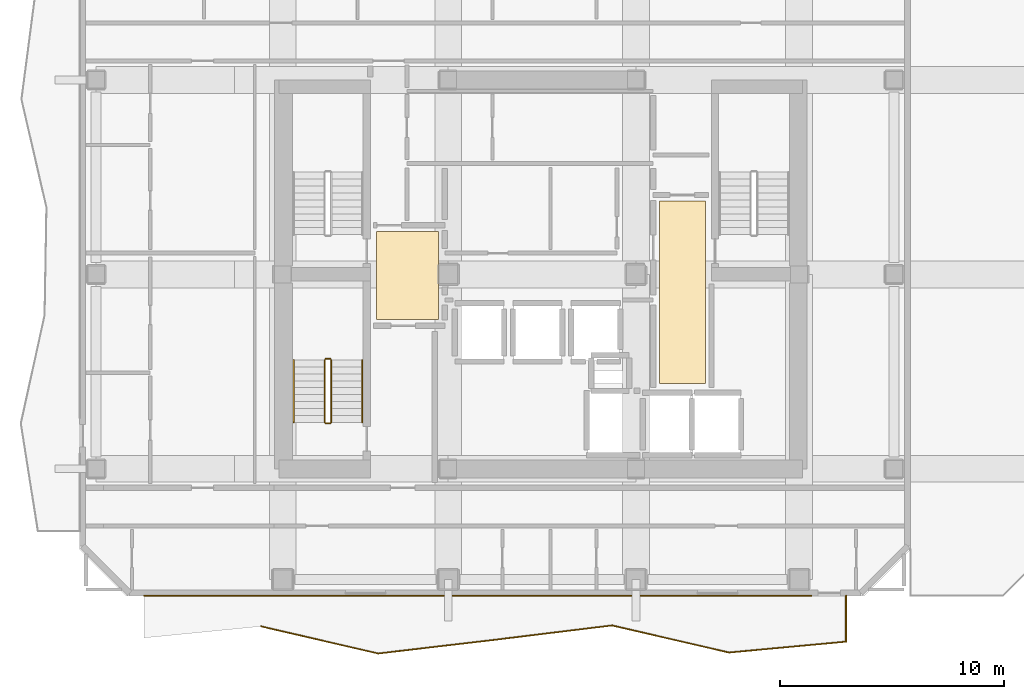
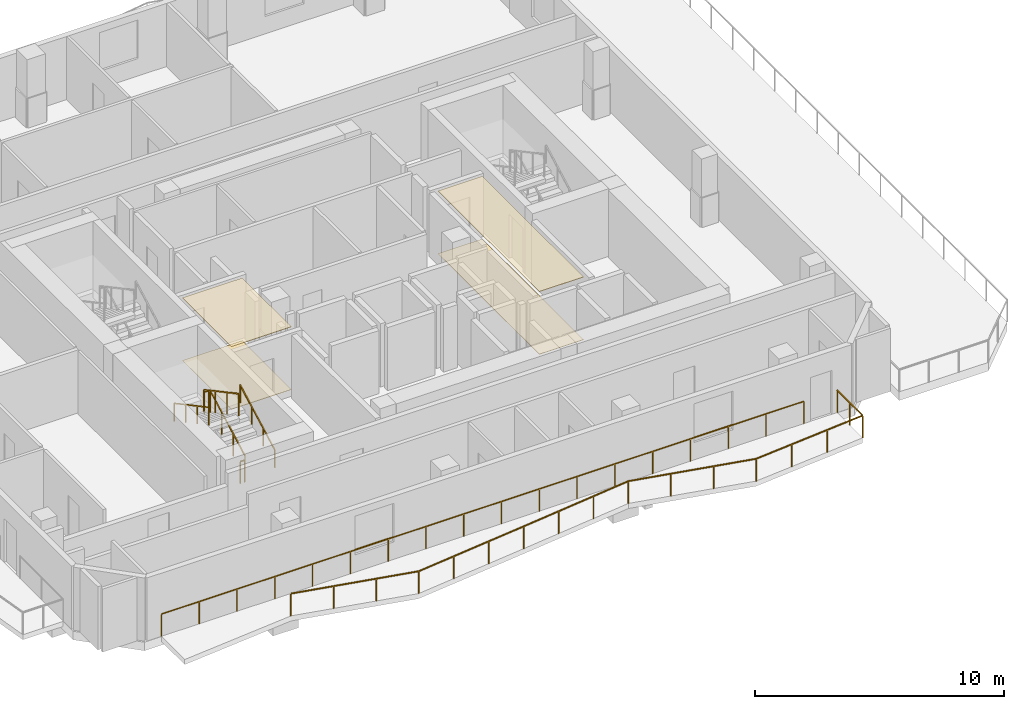
# One storey, part 7 of 10: 8 railings, 4 coverings.
"""IFC4 building model written with IfcOpenShell, lengths in metres."""

from ifc_helpers import new_model, si_unit, direction, frame, origin, origin_2d, place, context, subcontext, project, spatial, polyline, rectangle, outline, extrude, material, layer, layer_set, type_object, element, save


model = new_model("IFC4")

# Units and contexts
model_context = context("Model", 3, precision=1e-05, world=origin(), true_north=direction((0.0, 1.0)))
body_context = subcontext(model_context, "Body", "Model", "MODEL_VIEW")
ifc_project = project(units=[si_unit("LENGTHUNIT", "METRE"), si_unit("AREAUNIT", "SQUARE_METRE"), si_unit("VOLUMEUNIT", "CUBIC_METRE"), si_unit("PLANEANGLEUNIT", "RADIAN"), si_unit("MASSUNIT", "GRAM", prefix="KILO")], contexts=[model_context])

# Site, building, storey
site_placement = place(None, origin())
site = spatial("IfcSite", under=ifc_project, at=site_placement, CompositionType="ELEMENT")
building_placement = place(site_placement, origin())
building = spatial("IfcBuilding", under=site, at=building_placement, Name="Solanera Arch Residences", CompositionType="ELEMENT")
storey_placement = place(building_placement, frame((0.0, 0.0, 251.199951171875)))
storey = spatial("IfcBuildingStorey", under=building, at=storey_placement, Name="L73", CompositionType="ELEMENT", Elevation=251.199951171875)

# Railings
ifc_material_1 = material(Name="Steel S355 (ASTM A992 / A572 Grade 50)", Category="steel")
railing_type_1 = type_object("IfcRailingType", Name="Balustrade Railing BL-1100", PredefinedType="BALUSTRADE", material=ifc_material_1)
railing_1_placement = place(storey_placement, frame((12.43310546875, 14.949951171875, 0.0)))
element("IfcRailing", 1, at=railing_1_placement, inside=storey, type_object=railing_type_1, Name="L73 S Balcony Balustrade 1", PredefinedType="BALUSTRADE", context=body_context, shape_type="SweptSolid", body=[
    extrude(rectangle(XDim=0.048095703125, YDim=0.048095703125, at=origin_2d()), frame((0.0, 0.0, 1.09619140625), z_axis=(0.974144008053, -0.225927978731, 0.0), x_axis=(0.225927978731, 0.974144008053, 0.0)), (0.0, 0.0, 1.0), 5.372802734375),
    extrude(rectangle(XDim=0.048095703125, YDim=0.048095703125, at=origin_2d()), frame((5.23388671875, -1.2138671875, 1.09619140625), z_axis=(0.993164829841, 0.116720267163, 0.0), x_axis=(-0.116720267163, 0.993164829841, 0.0)), (0.0, 0.0, 1.0), 5.26904296875),
    extrude(rectangle(XDim=0.048095703125, YDim=0.048095703125, at=origin_2d()), frame((10.466796875, -0.598876953125, 1.09619140625), z_axis=(0.992562313861, 0.121737640454, 0.0), x_axis=(-0.121737640454, 0.992562313861, 0.0)), (0.0, 0.0, 1.0), 5.2724609375),
    extrude(rectangle(XDim=0.048095703125, YDim=0.048095703125, at=origin_2d()), frame((15.699951171875, 0.04296875, 1.09619140625), z_axis=(0.974183997379, -0.225755485539, 0.0), x_axis=(0.225755485539, 0.974183997379, 0.0)), (0.0, 0.0, 1.0), 5.37255859375),
    extrude(rectangle(XDim=0.048095703125, YDim=0.048095703125, at=origin_2d()), frame((20.933837890625, -1.169921875, 1.09619140625), z_axis=(0.995696731531, 0.092671564236, 0.0), x_axis=(-0.092671564236, 0.995696731531, 0.0)), (0.0, 0.0, 1.0), 5.255859375),
    extrude(rectangle(XDim=0.048095703125, YDim=0.048095703125, at=origin_2d()), frame((26.1669921875, -0.682861328125, 1.09619140625), z_axis=(0.0, 1.0, 0.0), x_axis=(-1.0, 0.0, 0.0)), (0.0, 0.0, 1.0), 2.052978515625),
    extrude(rectangle(XDim=0.0419921875, YDim=0.0419921875, at=origin_2d()), origin(), (0.0, 0.0, 1.0), 1.072021484375),
    extrude(rectangle(XDim=0.0419921875, YDim=0.0419921875, at=origin_2d()), frame((1.74462890625, -0.404541015625, 0.0)), (0.0, 0.0, 1.0), 1.072021484375),
    extrude(rectangle(XDim=0.0419921875, YDim=0.0419921875, at=origin_2d()), frame((3.4892578125, -0.809326171875, 0.0)), (0.0, 0.0, 1.0), 1.072021484375),
    extrude(rectangle(XDim=0.0419921875, YDim=0.0419921875, at=origin_2d()), frame((5.23388671875, -1.2138671875, 0.0)), (0.0, 0.0, 1.0), 1.072021484375),
    extrude(rectangle(XDim=0.0419921875, YDim=0.0419921875, at=origin_2d()), frame((6.978271484375, -1.0087890625, 0.0)), (0.0, 0.0, 1.0), 1.072021484375),
    extrude(rectangle(XDim=0.0419921875, YDim=0.0419921875, at=origin_2d()), frame((8.722412109375, -0.803955078125, 0.0)), (0.0, 0.0, 1.0), 1.072021484375),
    extrude(rectangle(XDim=0.0419921875, YDim=0.0419921875, at=origin_2d()), frame((10.466796875, -0.598876953125, 0.0)), (0.0, 0.0, 1.0), 1.072021484375),
    extrude(rectangle(XDim=0.0419921875, YDim=0.0419921875, at=origin_2d()), frame((12.211181640625, -0.385009765625, 0.0)), (0.0, 0.0, 1.0), 1.072021484375),
    extrude(rectangle(XDim=0.0419921875, YDim=0.0419921875, at=origin_2d()), frame((13.95556640625, -0.1708984375, 0.0)), (0.0, 0.0, 1.0), 1.072021484375),
    extrude(rectangle(XDim=0.0419921875, YDim=0.0419921875, at=origin_2d()), frame((15.699951171875, 0.04296875, 0.0)), (0.0, 0.0, 1.0), 1.072021484375),
    extrude(rectangle(XDim=0.0419921875, YDim=0.0419921875, at=origin_2d()), frame((17.444580078125, -0.361328125, 0.0)), (0.0, 0.0, 1.0), 1.072021484375),
    extrude(rectangle(XDim=0.0419921875, YDim=0.0419921875, at=origin_2d()), frame((19.189208984375, -0.765625, 0.0)), (0.0, 0.0, 1.0), 1.072021484375),
    extrude(rectangle(XDim=0.0419921875, YDim=0.0419921875, at=origin_2d()), frame((20.933837890625, -1.169921875, 0.0)), (0.0, 0.0, 1.0), 1.072021484375),
    extrude(rectangle(XDim=0.0419921875, YDim=0.0419921875, at=origin_2d()), frame((22.67822265625, -1.007568359375, 0.0)), (0.0, 0.0, 1.0), 1.072021484375),
    extrude(rectangle(XDim=0.0419921875, YDim=0.0419921875, at=origin_2d()), frame((24.422607421875, -0.84521484375, 0.0)), (0.0, 0.0, 1.0), 1.072021484375),
    extrude(rectangle(XDim=0.0419921875, YDim=0.0419921875, at=origin_2d()), frame((26.1669921875, -0.682861328125, 0.0)), (0.0, 0.0, 1.0), 1.072021484375),
    extrude(rectangle(XDim=0.0419921875, YDim=0.0419921875, at=origin_2d()), frame((26.1669921875, 0.34375, 0.0)), (0.0, 0.0, 1.0), 1.072021484375),
    extrude(rectangle(XDim=0.0419921875, YDim=0.0419921875, at=origin_2d()), frame((26.1669921875, 1.3701171875, 0.0)), (0.0, 0.0, 1.0), 1.072021484375),
])
railing_2_placement = place(storey_placement, frame((37.048095703125, 16.320068359375, 0.0)))
element("IfcRailing", 2, at=railing_2_placement, inside=storey, type_object=railing_type_1, Name="L73 S Balcony Balustrade 2", PredefinedType="BALUSTRADE", context=body_context, shape_type="SweptSolid", body=[
    extrude(rectangle(XDim=0.048095703125, YDim=0.048095703125, at=origin_2d()), frame((0.0, 0.0, 1.09619140625), z_axis=(-1.0, 0.0, 0.0), x_axis=(0.0, -1.0, 0.0)), (0.0, 0.0, 1.0), 29.84814453125),
    extrude(rectangle(XDim=0.0419921875, YDim=0.0419921875, at=origin_2d()), origin(), (0.0, 0.0, 1.0), 1.072021484375),
    extrude(rectangle(XDim=0.0419921875, YDim=0.0419921875, at=origin_2d()), frame((-1.755859375, 0.0, 0.0)), (0.0, 0.0, 1.0), 1.072021484375),
    extrude(rectangle(XDim=0.0419921875, YDim=0.0419921875, at=origin_2d()), frame((-3.511474609375, 0.0, 0.0)), (0.0, 0.0, 1.0), 1.072021484375),
    extrude(rectangle(XDim=0.0419921875, YDim=0.0419921875, at=origin_2d()), frame((-5.267333984375, 0.0, 0.0)), (0.0, 0.0, 1.0), 1.072021484375),
    extrude(rectangle(XDim=0.0419921875, YDim=0.0419921875, at=origin_2d()), frame((-7.023193359375, 0.0, 0.0)), (0.0, 0.0, 1.0), 1.072021484375),
    extrude(rectangle(XDim=0.0419921875, YDim=0.0419921875, at=origin_2d()), frame((-8.77880859375, 0.0, 0.0)), (0.0, 0.0, 1.0), 1.072021484375),
    extrude(rectangle(XDim=0.0419921875, YDim=0.0419921875, at=origin_2d()), frame((-10.53466796875, 0.0, 0.0)), (0.0, 0.0, 1.0), 1.072021484375),
    extrude(rectangle(XDim=0.0419921875, YDim=0.0419921875, at=origin_2d()), frame((-12.29052734375, 0.0, 0.0)), (0.0, 0.0, 1.0), 1.072021484375),
    extrude(rectangle(XDim=0.0419921875, YDim=0.0419921875, at=origin_2d()), frame((-14.046142578125, 0.0, 0.0)), (0.0, 0.0, 1.0), 1.072021484375),
    extrude(rectangle(XDim=0.0419921875, YDim=0.0419921875, at=origin_2d()), frame((-15.802001953125, 0.0, 0.0)), (0.0, 0.0, 1.0), 1.072021484375),
    extrude(rectangle(XDim=0.0419921875, YDim=0.0419921875, at=origin_2d()), frame((-17.5576171875, 0.0, 0.0)), (0.0, 0.0, 1.0), 1.072021484375),
    extrude(rectangle(XDim=0.0419921875, YDim=0.0419921875, at=origin_2d()), frame((-19.3134765625, 0.0, 0.0)), (0.0, 0.0, 1.0), 1.072021484375),
    extrude(rectangle(XDim=0.0419921875, YDim=0.0419921875, at=origin_2d()), frame((-21.0693359375, 0.0, 0.0)), (0.0, 0.0, 1.0), 1.072021484375),
    extrude(rectangle(XDim=0.0419921875, YDim=0.0419921875, at=origin_2d()), frame((-22.824951171875, 0.0, 0.0)), (0.0, 0.0, 1.0), 1.072021484375),
    extrude(rectangle(XDim=0.0419921875, YDim=0.0419921875, at=origin_2d()), frame((-24.580810546875, 0.0, 0.0)), (0.0, 0.0, 1.0), 1.072021484375),
    extrude(rectangle(XDim=0.0419921875, YDim=0.0419921875, at=origin_2d()), frame((-26.336669921875, 0.0, 0.0)), (0.0, 0.0, 1.0), 1.072021484375),
    extrude(rectangle(XDim=0.0419921875, YDim=0.0419921875, at=origin_2d()), frame((-28.09228515625, 0.0, 0.0)), (0.0, 0.0, 1.0), 1.072021484375),
    extrude(rectangle(XDim=0.0419921875, YDim=0.0419921875, at=origin_2d()), frame((-29.84814453125, 0.0, 0.0)), (0.0, 0.0, 1.0), 1.072021484375),
])

# Coverings
ifc_material_2 = material(Name="Porcelain Acoustic Floor Tile", Category="ceramic")
ifc_layer_1 = layer(ifc_material_2, 0.02001953125)
ifc_layer_set_1 = layer_set([ifc_layer_1], Name="Porcelain Acoustic Floor Tile")
covering_type_1 = type_object("IfcCoveringType", Name="Porcelain Acoustic Floor Finish FLR-20", PredefinedType="FLOORING", material=ifc_layer_set_1)
covering_1_placement = place(storey_placement, origin())
element("IfcCovering", 3, at=covering_1_placement, inside=storey, type_object=covering_type_1, Name="L73-FFL-W Porcelain Floor Finish", PredefinedType="FLOORING", context=body_context, shape_type="SweptSolid", body=[
    extrude(outline(polyline([(20.375, 28.675048828125), (17.594970703125, 28.675048828125), (17.594970703125, 32.625), (20.375, 32.625), (20.375, 28.675048828125)])), origin(), (0.0, 0.0, 1.0), 0.02001953125),
])
covering_2_placement = place(storey_placement, origin())
element("IfcCovering", 4, at=covering_2_placement, inside=storey, type_object=covering_type_1, Name="L73-FFL-E Porcelain Floor Finish", PredefinedType="FLOORING", context=body_context, shape_type="SweptSolid", body=[
    extrude(outline(polyline([(32.304931640625, 25.824951171875), (30.25, 25.824951171875), (30.25, 33.97509765625), (32.304931640625, 33.97509765625), (32.304931640625, 25.824951171875)])), origin(), (0.0, 0.0, 1.0), 0.02001953125),
])

# Railings
ifc_material_3 = material(Name="Steel S355 (ASTM A992 / A572 Grade 50)", Category="steel")
railing_type_2 = type_object("IfcRailingType", Name="Stair Guardrail GR-1100", PredefinedType="GUARDRAIL", material=ifc_material_3)
railing_3_placement = place(storey_placement, frame((15.570068359375, 24.080078125, 0.151123046875)))
element("IfcRailing", 5, at=railing_3_placement, inside=storey, type_object=railing_type_2, Name="L73 ST-T3 stair guard 1", PredefinedType="GUARDRAIL", context=body_context, shape_type="SweptSolid", body=[
    extrude(rectangle(XDim=0.048095703125, YDim=0.048095703125, at=origin_2d()), frame((0.0, 0.0, 1.076171875), z_axis=(0.0, 0.881580869306, 0.472033018838), x_axis=(-1.0, 0.0, 0.0)), (0.0, 0.0, 1.0), 3.164794921875),
    extrude(rectangle(XDim=0.0419921875, YDim=0.0419921875, at=origin_2d()), origin(), (0.0, 0.0, 1.0), 1.052001953125),
    extrude(rectangle(XDim=0.0419921875, YDim=0.0419921875, at=origin_2d()), frame((0.0, 0.929931640625, 0.498046875)), (0.0, 0.0, 1.0), 1.052001953125),
    extrude(rectangle(XDim=0.0419921875, YDim=0.0419921875, at=origin_2d()), frame((0.0, 1.860107421875, 0.995849609375)), (0.0, 0.0, 1.0), 1.052001953125),
    extrude(rectangle(XDim=0.0419921875, YDim=0.0419921875, at=origin_2d()), frame((0.0, 2.7900390625, 1.493896484375)), (0.0, 0.0, 1.0), 1.052001953125),
])
railing_4_placement = place(storey_placement, frame((15.52001953125, 26.919921875, 1.64501953125)))
element("IfcRailing", 6, at=railing_4_placement, inside=storey, type_object=railing_type_2, Name="L73 ST-T3 stair guard 2", PredefinedType="GUARDRAIL", context=body_context, shape_type="SweptSolid", body=[
    extrude(rectangle(XDim=0.048095703125, YDim=0.048095703125, at=origin_2d()), frame((0.0, 0.0, 1.076171875), z_axis=(-1.0, 0.0, 0.0), x_axis=(0.0, -1.0, 0.0)), (0.0, 0.0, 1.0), 0.199951171875),
    extrude(rectangle(XDim=0.0419921875, YDim=0.0419921875, at=origin_2d()), origin(), (0.0, 0.0, 1.0), 1.052001953125),
    extrude(rectangle(XDim=0.0419921875, YDim=0.0419921875, at=origin_2d()), frame((-0.199951171875, 0.0, 0.0)), (0.0, 0.0, 1.0), 1.052001953125),
])
railing_5_placement = place(storey_placement, frame((15.27001953125, 26.8701171875, 1.81103515625)))
element("IfcRailing", 7, at=railing_5_placement, inside=storey, type_object=railing_type_2, Name="L73 ST-T3 stair guard 3", PredefinedType="GUARDRAIL", context=body_context, shape_type="SweptSolid", body=[
    extrude(rectangle(XDim=0.048095703125, YDim=0.048095703125, at=origin_2d()), frame((0.0, 0.0, 1.076171875), z_axis=(0.0, -0.881580869306, 0.472033018838), x_axis=(1.0, 0.0, 0.0)), (0.0, 0.0, 1.0), 3.164794921875),
    extrude(rectangle(XDim=0.0419921875, YDim=0.0419921875, at=origin_2d()), origin(), (0.0, 0.0, 1.0), 1.052001953125),
    extrude(rectangle(XDim=0.0419921875, YDim=0.0419921875, at=origin_2d()), frame((0.0, -0.929931640625, 0.498046875)), (0.0, 0.0, 1.0), 1.052001953125),
    extrude(rectangle(XDim=0.0419921875, YDim=0.0419921875, at=origin_2d()), frame((0.0, -1.860107421875, 0.995849609375)), (0.0, 0.0, 1.0), 1.052001953125),
    extrude(rectangle(XDim=0.0419921875, YDim=0.0419921875, at=origin_2d()), frame((0.0, -2.7900390625, 1.493896484375)), (0.0, 0.0, 1.0), 1.052001953125),
])
railing_6_placement = place(storey_placement, frame((15.52001953125, 24.030029296875, -0.014892578125)))
element("IfcRailing", 8, at=railing_6_placement, inside=storey, type_object=railing_type_2, Name="L73 ST-T3 stair guard 4", PredefinedType="GUARDRAIL", context=body_context, shape_type="SweptSolid", body=[
    extrude(rectangle(XDim=0.048095703125, YDim=0.048095703125, at=origin_2d()), frame((0.0, 0.0, 1.076171875), z_axis=(-1.0, 0.0, 0.0), x_axis=(0.0, -1.0, 0.0)), (0.0, 0.0, 1.0), 0.199951171875),
    extrude(rectangle(XDim=0.0419921875, YDim=0.0419921875, at=origin_2d()), origin(), (0.0, 0.0, 1.0), 1.052001953125),
    extrude(rectangle(XDim=0.0419921875, YDim=0.0419921875, at=origin_2d()), frame((-0.199951171875, 0.0, 0.0)), (0.0, 0.0, 1.0), 1.052001953125),
])
ifc_material_4 = material(Name="Steel S355 (ASTM A992 / A572 Grade 50)", Category="steel")
railing_type_3 = type_object("IfcRailingType", Name="Stair Wall Handrail HR-920", PredefinedType="HANDRAIL", material=ifc_material_4)
railing_7_placement = place(storey_placement, frame((16.949951171875, 24.080078125, 0.166015625)))
element("IfcRailing", 9, at=railing_7_placement, inside=storey, type_object=railing_type_3, Name="L73 ST-T3 stair handrail 1", PredefinedType="HANDRAIL", context=body_context, shape_type="SweptSolid", body=[
    extrude(rectangle(XDim=0.048095703125, YDim=0.048095703125, at=origin_2d()), frame((0.0, 0.0, 0.8759765625), z_axis=(0.0, 0.881548766853, 0.472092969298), x_axis=(-1.0, 0.0, 0.0)), (0.0, 0.0, 1.0), 3.1650390625),
    extrude(rectangle(XDim=0.0419921875, YDim=0.0419921875, at=origin_2d()), origin(), (0.0, 0.0, 1.0), 0.851806640625),
    extrude(rectangle(XDim=0.0419921875, YDim=0.0419921875, at=origin_2d()), frame((0.0, 0.929931640625, 0.498046875)), (0.0, 0.0, 1.0), 0.851806640625),
    extrude(rectangle(XDim=0.0419921875, YDim=0.0419921875, at=origin_2d()), frame((0.0, 1.860107421875, 0.99609375)), (0.0, 0.0, 1.0), 0.851806640625),
    extrude(rectangle(XDim=0.0419921875, YDim=0.0419921875, at=origin_2d()), frame((0.0, 2.7900390625, 1.494140625)), (0.0, 0.0, 1.0), 0.851806640625),
])
railing_8_placement = place(storey_placement, frame((13.889892578125, 26.8701171875, 1.825927734375)))
element("IfcRailing", 10, at=railing_8_placement, inside=storey, type_object=railing_type_3, Name="L73 ST-T3 stair handrail 2", PredefinedType="HANDRAIL", context=body_context, shape_type="SweptSolid", body=[
    extrude(rectangle(XDim=0.048095703125, YDim=0.048095703125, at=origin_2d()), frame((0.0, 0.0, 0.8759765625), z_axis=(0.0, -0.881548766853, 0.472092969298), x_axis=(1.0, 0.0, 0.0)), (0.0, 0.0, 1.0), 3.1650390625),
    extrude(rectangle(XDim=0.0419921875, YDim=0.0419921875, at=origin_2d()), origin(), (0.0, 0.0, 1.0), 0.851806640625),
    extrude(rectangle(XDim=0.0419921875, YDim=0.0419921875, at=origin_2d()), frame((0.0, -0.929931640625, 0.498046875)), (0.0, 0.0, 1.0), 0.851806640625),
    extrude(rectangle(XDim=0.0419921875, YDim=0.0419921875, at=origin_2d()), frame((0.0, -1.860107421875, 0.99609375)), (0.0, 0.0, 1.0), 0.851806640625),
    extrude(rectangle(XDim=0.0419921875, YDim=0.0419921875, at=origin_2d()), frame((0.0, -2.7900390625, 1.494140625)), (0.0, 0.0, 1.0), 0.851806640625),
])

# Coverings
ifc_material_5 = material(Name="Mineral Fibre Acoustic Ceiling Board", Category="gypsum")
ifc_layer_2 = layer(ifc_material_5, 0.02490234375)
ifc_layer_set_2 = layer_set([ifc_layer_2], Name="Mineral Fibre Acoustic Ceiling Board")
covering_type_2 = type_object("IfcCoveringType", Name="Suspended Acoustic Ceiling Board CLG-25", PredefinedType="CEILING", material=ifc_layer_set_2)
covering_3_placement = place(storey_placement, frame((0.0, 0.0, 3.074951171875)))
element("IfcCovering", 11, at=covering_3_placement, inside=storey, type_object=covering_type_2, Name="L73-FFL-W Acoustic Ceiling", PredefinedType="CEILING", context=body_context, shape_type="SweptSolid", body=[
    extrude(outline(polyline([(20.375, 28.675048828125), (17.594970703125, 28.675048828125), (17.594970703125, 32.625), (20.375, 32.625), (20.375, 28.675048828125)])), origin(), (0.0, 0.0, 1.0), 0.025146484375),
])
covering_4_placement = place(storey_placement, frame((0.0, 0.0, 3.074951171875)))
element("IfcCovering", 12, at=covering_4_placement, inside=storey, type_object=covering_type_2, Name="L73-FFL-E Acoustic Ceiling", PredefinedType="CEILING", context=body_context, shape_type="SweptSolid", body=[
    extrude(outline(polyline([(32.304931640625, 25.824951171875), (30.25, 25.824951171875), (30.25, 33.97509765625), (32.304931640625, 33.97509765625), (32.304931640625, 25.824951171875)])), origin(), (0.0, 0.0, 1.0), 0.025146484375),
])

save(model, "model.ifc")
